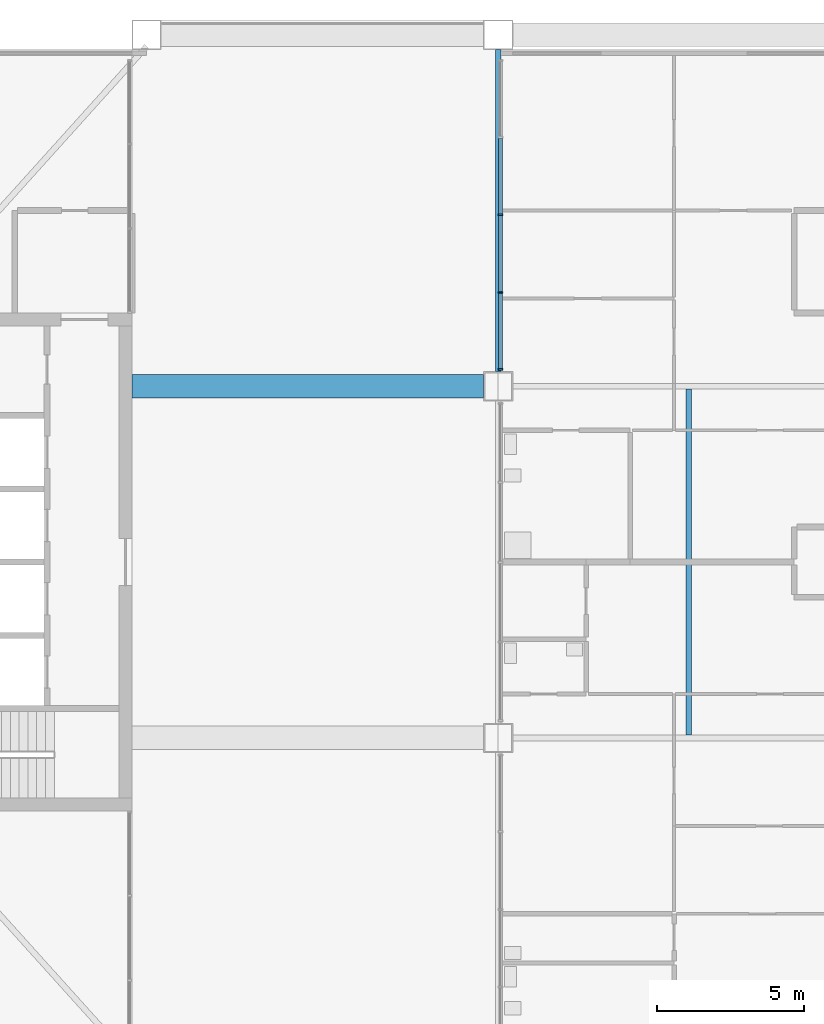
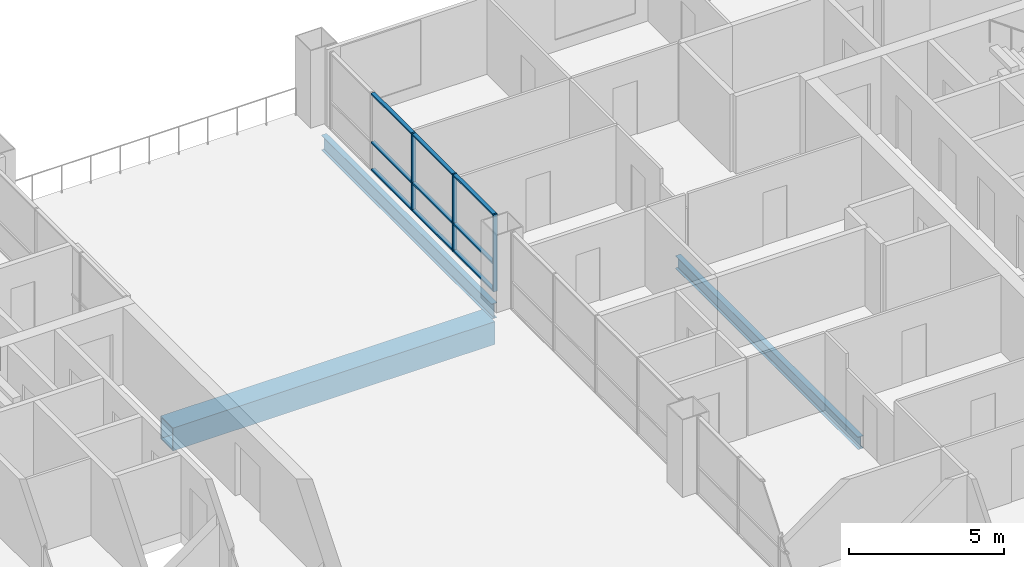
# One storey, part 4 of 12: 12 members, 3 beams, 1 element without a shape of its own.
"""IFC4 building model written with IfcOpenShell, lengths in metres."""

from ifc_helpers import new_model, si_unit, direction, frame, origin, origin_2d, place, context, subcontext, project, spatial, rectangle, hollow_rectangle, i_section, extrude, material, material_profile, profile_set, type_object, element, aggregate, save


model = new_model("IFC4")

# Units and contexts
model_context = context("Model", 3, precision=1e-05, world=origin(), true_north=direction((0.0, 1.0)))
body_context = subcontext(model_context, "Body", "Model", "MODEL_VIEW")
ifc_project = project(units=[si_unit("LENGTHUNIT", "METRE"), si_unit("AREAUNIT", "SQUARE_METRE"), si_unit("VOLUMEUNIT", "CUBIC_METRE"), si_unit("PLANEANGLEUNIT", "RADIAN"), si_unit("MASSUNIT", "GRAM", prefix="KILO")], contexts=[model_context])

# Site, building, storey
site_placement = place(None, origin())
site = spatial("IfcSite", under=ifc_project, at=site_placement, CompositionType="ELEMENT")
building_placement = place(site_placement, origin())
building = spatial("IfcBuilding", under=site, at=building_placement, Name="Kitamizu Gate Tower and Museum", CompositionType="ELEMENT")
storey_placement = place(building_placement, frame((0.0, 0.0, 249.0)))
storey = spatial("IfcBuildingStorey", under=building, at=storey_placement, Name="L67", CompositionType="ELEMENT", Elevation=249.0)

# Beams
ifc_material_1 = material(Name="Steel SM490A", Category="steel")
ifc_material_profile_1 = material_profile(ifc_material_1, i_section(OverallWidth=0.199951171875, OverallDepth=0.5, WebThickness=0.010009765625, FlangeThickness=0.01611328125, FilletRadius=0.02001953125, at=origin_2d()), Name="H-500x200x10x16")
ifc_profile_set_1 = profile_set([ifc_material_profile_1], Name="Steel SM490A")
beam_type_1 = type_object("IfcBeamType", Name="Floor beam FB1 H 500x200x10x16", PredefinedType="BEAM", material=ifc_profile_set_1)
beam_1_placement = place(storey_placement, frame((42.5, 24.10009765625, -0.64990234375), z_axis=(0.0, 1.0, 0.0), x_axis=(-1.0, 0.0, 0.0)))
element("IfcBeam", 1, at=beam_1_placement, inside=storey, type_object=beam_type_1, Name="Floor beam FB1 L67-1", PredefinedType="BEAM", context=body_context, shape_type="SweptSolid", body=[
    extrude(i_section(OverallWidth=0.199951171875, OverallDepth=0.5, WebThickness=0.010009765625, FlangeThickness=0.01611328125, FilletRadius=0.02001953125, at=origin_2d()), origin(), (0.0, 0.0, 1.0), 11.7998046875),
])
ifc_material_2 = material(Name="Steel SM490A", Category="steel")
ifc_material_profile_2 = material_profile(ifc_material_2, i_section(OverallWidth=0.199951171875, OverallDepth=0.60009765625, WebThickness=0.010986328125, FlangeThickness=0.01708984375, FilletRadius=0.02197265625, at=origin_2d()), Name="H-600x200x11x17")
ifc_profile_set_2 = profile_set([ifc_material_profile_2], Name="Steel SM490A")
beam_type_2 = type_object("IfcBeamType", Name="Floor girder FG1 H 600x200x11x17", PredefinedType="BEAM", material=ifc_profile_set_2)
beam_2_placement = place(storey_placement, frame((36.0, 36.5, -0.699951171875), z_axis=(0.0, 1.0, 0.0), x_axis=(-1.0, 0.0, 0.0)))
element("IfcBeam", 2, at=beam_2_placement, inside=storey, type_object=beam_type_2, Name="Floor girder FG1 x36 L67", PredefinedType="BEAM", context=body_context, shape_type="SweptSolid", body=[
    extrude(i_section(OverallWidth=0.199951171875, OverallDepth=0.60009765625, WebThickness=0.010986328125, FlangeThickness=0.01708984375, FilletRadius=0.02197265625, at=origin_2d()), origin(), (0.0, 0.0, 1.0), 11.0),
])

# Curtain wall, members
ifc_material_3 = material(Name="Bronze anodised aluminium frame, tinted triple glazing", Category="aluminium")
curtain_wall_type = type_object("IfcCurtainWallType", Name="CURTAIN WALL TYPE C SKY AMENITY", PredefinedType="NOTDEFINED", material=ifc_material_3)
curtain_wall_placement = place(storey_placement, origin())
curtain_wall = element("IfcCurtainWall", 3, at=curtain_wall_placement, inside=storey, type_object=curtain_wall_type, Name="Curtain wall CW-C portal E L67", PredefinedType="NOTDEFINED")
ifc_material_4 = material(Name="Bronze anodised aluminium", Category="aluminium")
ifc_material_profile_3 = material_profile(ifc_material_4, rectangle(XDim=0.06005859375, YDim=0.14990234375, at=origin_2d()), Name="AL 60X150")
ifc_profile_set_3 = profile_set([ifc_material_profile_3], Name="Bronze anodised aluminium")
member_type_1 = type_object("IfcMemberType", Name="MULLION 60 X 150 TYPE C", PredefinedType="MULLION", material=ifc_profile_set_3)
member_1_placement = place(storey_placement, frame((36.074951171875, 36.5849609375, 0.0), z_axis=(0.0, 0.0, 1.0), x_axis=(0.0, 1.0, 0.0)))
member_1 = element("IfcMember", 4, at=member_1_placement, type_object=member_type_1, Name="CW-C mullion 1", PredefinedType="MULLION", context=body_context, shape_type="SweptSolid", body=[
    extrude(rectangle(XDim=0.06005859375, YDim=0.14990234375, at=origin_2d()), origin(), (0.0, 0.0, 1.0), 3.050048828125),
])
member_2_placement = place(storey_placement, frame((36.074951171875, 39.203857421875, 0.0), z_axis=(0.0, 0.0, 1.0), x_axis=(0.0, 1.0, 0.0)))
member_2 = element("IfcMember", 5, at=member_2_placement, type_object=member_type_1, Name="CW-C mullion 2", PredefinedType="MULLION", context=body_context, shape_type="SweptSolid", body=[
    extrude(rectangle(XDim=0.06005859375, YDim=0.14990234375, at=origin_2d()), origin(), (0.0, 0.0, 1.0), 3.050048828125),
])
member_3_placement = place(storey_placement, frame((36.074951171875, 41.8525390625, 0.0), z_axis=(0.0, 0.0, 1.0), x_axis=(0.0, 1.0, 0.0)))
member_3 = element("IfcMember", 6, at=member_3_placement, type_object=member_type_1, Name="CW-C mullion 3", PredefinedType="MULLION", context=body_context, shape_type="SweptSolid", body=[
    extrude(rectangle(XDim=0.06005859375, YDim=0.14990234375, at=origin_2d()), origin(), (0.0, 0.0, 1.0), 3.050048828125),
])

# Beam
ifc_material_5 = material(Name="Steel SM490A bronze coated", Category="steel")
ifc_material_profile_4 = material_profile(ifc_material_5, hollow_rectangle(XDim=0.800048828125, YDim=0.89990234375, WallThickness=0.044921875, at=origin_2d()), Name="BOX 800x900x45")
ifc_profile_set_4 = profile_set([ifc_material_profile_4], Name="Steel SM490A bronze coated")
beam_type_3 = type_object("IfcBeamType", Name="Portal deck beam PF2 BOX 800x900x45", PredefinedType="BEAM", material=ifc_profile_set_4)
beam_3_placement = place(storey_placement, frame((23.5, 36.0, -0.85009765625), z_axis=(1.0, 0.0, 0.0), x_axis=(0.0, 1.0, 0.0)))
element("IfcBeam", 7, at=beam_3_placement, inside=storey, type_object=beam_type_3, Name="Portal deck beam L67 y36", PredefinedType="BEAM", context=body_context, shape_type="SweptSolid", body=[
    extrude(hollow_rectangle(XDim=0.800048828125, YDim=0.89990234375, WallThickness=0.044921875, at=origin_2d()), origin(), (0.0, 0.0, 1.0), 12.0),
])

# Member
ifc_material_6 = material(Name="Bronze anodised aluminium", Category="aluminium")
ifc_material_profile_5 = material_profile(ifc_material_6, rectangle(XDim=0.139892578125, YDim=0.06005859375, at=origin_2d()), Name="AL 60X140")
ifc_profile_set_5 = profile_set([ifc_material_profile_5], Name="Bronze anodised aluminium")
member_type_2 = type_object("IfcMemberType", Name="TRANSOM 60 X 140 TYPE C", PredefinedType="USERDEFINED", material=ifc_profile_set_5)
member_4_placement = place(storey_placement, frame((36.074951171875, 36.614990234375, 0.030029296875), z_axis=(0.0, 1.0, 0.0), x_axis=(-1.0, 0.0, 0.0)))
member_4 = element("IfcMember", 8, at=member_4_placement, type_object=member_type_2, Name="CW-C transom 1.1", ObjectType="TRANSOM", PredefinedType="USERDEFINED", context=body_context, shape_type="SweptSolid", body=[
    extrude(rectangle(XDim=0.139892578125, YDim=0.06005859375, at=origin_2d()), origin(), (0.0, 0.0, 1.0), 2.558837890625),
])

member_5_placement = place(storey_placement, frame((36.074951171875, 36.614990234375, 1.10009765625), z_axis=(0.0, 1.0, 0.0), x_axis=(-1.0, 0.0, 0.0)))
member_5 = element("IfcMember", 9, at=member_5_placement, type_object=member_type_2, Name="CW-C transom 1.2", ObjectType="TRANSOM", PredefinedType="USERDEFINED", context=body_context, shape_type="SweptSolid", body=[
    extrude(rectangle(XDim=0.139892578125, YDim=0.06005859375, at=origin_2d()), origin(), (0.0, 0.0, 1.0), 2.558837890625),
])

member_6_placement = place(storey_placement, frame((36.074951171875, 36.614990234375, 3.02001953125), z_axis=(0.0, 1.0, 0.0), x_axis=(-1.0, 0.0, 0.0)))
member_6 = element("IfcMember", 10, at=member_6_placement, type_object=member_type_2, Name="CW-C transom 1.3", ObjectType="TRANSOM", PredefinedType="USERDEFINED", context=body_context, shape_type="SweptSolid", body=[
    extrude(rectangle(XDim=0.139892578125, YDim=0.06005859375, at=origin_2d()), origin(), (0.0, 0.0, 1.0), 2.558837890625),
])

member_7_placement = place(storey_placement, frame((36.074951171875, 39.233642578125, 0.030029296875), z_axis=(0.0, 1.0, 0.0), x_axis=(-1.0, 0.0, 0.0)))
member_7 = element("IfcMember", 11, at=member_7_placement, type_object=member_type_2, Name="CW-C transom 2.1", ObjectType="TRANSOM", PredefinedType="USERDEFINED", context=body_context, shape_type="SweptSolid", body=[
    extrude(rectangle(XDim=0.139892578125, YDim=0.06005859375, at=origin_2d()), origin(), (0.0, 0.0, 1.0), 2.5888671875),
])

member_8_placement = place(storey_placement, frame((36.074951171875, 39.233642578125, 1.10009765625), z_axis=(0.0, 1.0, 0.0), x_axis=(-1.0, 0.0, 0.0)))
member_8 = element("IfcMember", 12, at=member_8_placement, type_object=member_type_2, Name="CW-C transom 2.2", ObjectType="TRANSOM", PredefinedType="USERDEFINED", context=body_context, shape_type="SweptSolid", body=[
    extrude(rectangle(XDim=0.139892578125, YDim=0.06005859375, at=origin_2d()), origin(), (0.0, 0.0, 1.0), 2.5888671875),
])

member_9_placement = place(storey_placement, frame((36.074951171875, 39.233642578125, 3.02001953125), z_axis=(0.0, 1.0, 0.0), x_axis=(-1.0, 0.0, 0.0)))
member_9 = element("IfcMember", 13, at=member_9_placement, type_object=member_type_2, Name="CW-C transom 2.3", ObjectType="TRANSOM", PredefinedType="USERDEFINED", context=body_context, shape_type="SweptSolid", body=[
    extrude(rectangle(XDim=0.139892578125, YDim=0.06005859375, at=origin_2d()), origin(), (0.0, 0.0, 1.0), 2.5888671875),
])

member_10_placement = place(storey_placement, frame((36.074951171875, 41.882568359375, 0.030029296875), z_axis=(0.0, 1.0, 0.0), x_axis=(-1.0, 0.0, 0.0)))
member_10 = element("IfcMember", 14, at=member_10_placement, type_object=member_type_2, Name="CW-C transom 3.1", ObjectType="TRANSOM", PredefinedType="USERDEFINED", context=body_context, shape_type="SweptSolid", body=[
    extrude(rectangle(XDim=0.139892578125, YDim=0.06005859375, at=origin_2d()), origin(), (0.0, 0.0, 1.0), 2.588623046875),
])

member_11_placement = place(storey_placement, frame((36.074951171875, 41.882568359375, 1.10009765625), z_axis=(0.0, 1.0, 0.0), x_axis=(-1.0, 0.0, 0.0)))
member_11 = element("IfcMember", 15, at=member_11_placement, type_object=member_type_2, Name="CW-C transom 3.2", ObjectType="TRANSOM", PredefinedType="USERDEFINED", context=body_context, shape_type="SweptSolid", body=[
    extrude(rectangle(XDim=0.139892578125, YDim=0.06005859375, at=origin_2d()), origin(), (0.0, 0.0, 1.0), 2.588623046875),
])

member_12_placement = place(storey_placement, frame((36.074951171875, 41.882568359375, 3.02001953125), z_axis=(0.0, 1.0, 0.0), x_axis=(-1.0, 0.0, 0.0)))
member_12 = element("IfcMember", 16, at=member_12_placement, type_object=member_type_2, Name="CW-C transom 3.3", ObjectType="TRANSOM", PredefinedType="USERDEFINED", context=body_context, shape_type="SweptSolid", body=[
    extrude(rectangle(XDim=0.139892578125, YDim=0.06005859375, at=origin_2d()), origin(), (0.0, 0.0, 1.0), 2.588623046875),
])

aggregate(curtain_wall, [member_1, member_2, member_3, member_4, member_5, member_6, member_7, member_8, member_9, member_10, member_11, member_12])

save(model, "model.ifc")
